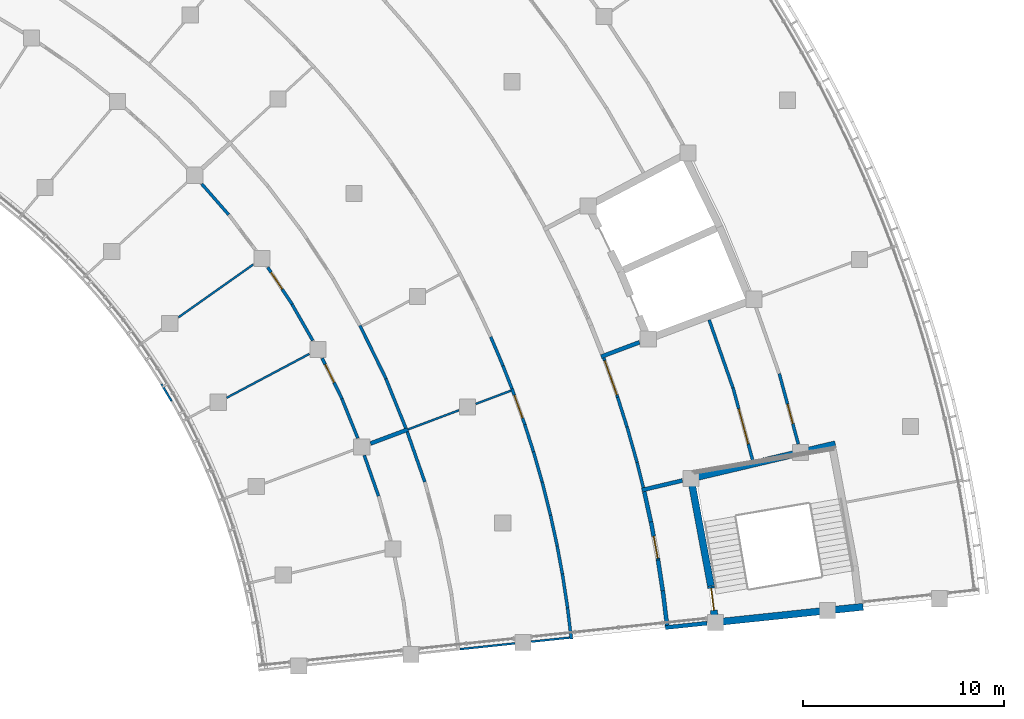
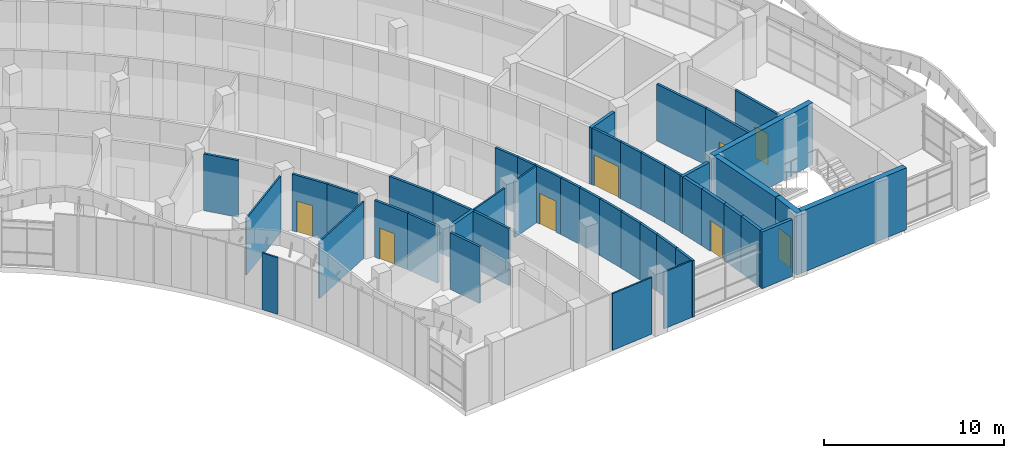
# One storey, part 48 of 109: 45 walls, 8 doors, 8 openings.
"""IFC4 building model written with IfcOpenShell, lengths in metres."""

from ifc_helpers import new_model, si_unit, direction, frame, frame_2d, origin, place, context, subcontext, project, spatial, rectangle, extrude, material, layer, layer_set, type_object, element, fill, save


model = new_model("IFC4")

# Units and contexts
model_context = context("Model", 3, precision=1e-05, world=origin(), true_north=direction((0.0, 1.0)))
body_context = subcontext(model_context, "Body", "Model", "MODEL_VIEW")
ifc_project = project(units=[si_unit("LENGTHUNIT", "METRE"), si_unit("AREAUNIT", "SQUARE_METRE"), si_unit("VOLUMEUNIT", "CUBIC_METRE"), si_unit("PLANEANGLEUNIT", "RADIAN"), si_unit("MASSUNIT", "GRAM", prefix="KILO")], contexts=[model_context])

# Site, building, storey
site_placement = place(None, origin())
site = spatial("IfcSite", under=ifc_project, at=site_placement, CompositionType="ELEMENT")
building_placement = place(site_placement, origin())
building = spatial("IfcBuilding", under=site, at=building_placement, Name="Bougainvillea Quay General Hospital", CompositionType="ELEMENT")
storey_placement = place(building_placement, frame((0.0, 0.0, 12.60009765625)))
storey = spatial("IfcBuildingStorey", under=building, at=storey_placement, Name="L02", CompositionType="ELEMENT", Elevation=12.60009765625)

# Walls
ifc_material_1 = material(Name="Gypsum board partition on steel studs", Category="steel")
ifc_layer_1 = layer(ifc_material_1, 0.10009765625)
ifc_layer_set_1 = layer_set([ifc_layer_1], Name="Gypsum board partition on steel studs")
wall_type_1 = type_object("IfcWallType", Name="Partition 100 Gypsum board partition", PredefinedType="PARTITIONING", material=ifc_layer_set_1)
wall_1_placement = place(storey_placement, frame((153.008544921875, 26.60791015625, 0.0), z_axis=(0.0, 0.0, 1.0), x_axis=(0.99452300046, 0.104517948486, 0.0)))
element("IfcWall", 1, at=wall_1_placement, inside=storey, type_object=wall_type_1, Name="Partition 100 mm", PredefinedType="PARTITIONING", context=body_context, shape_type="SweptSolid", body=[
    extrude(rectangle(XDim=2.742431640625, YDim=0.10009765625, at=frame_2d((1.37109375, 0.0))), origin(), (0.0, 0.0, 1.0), 3.849853515625),
])
wall_2_placement = place(storey_placement, frame((156.546142578125, 26.979736328125, 0.0), z_axis=(0.0, 0.0, 1.0), x_axis=(0.994518703868, 0.104558823905, 0.0)))
element("IfcWall", 2, at=wall_2_placement, inside=storey, type_object=wall_type_1, Name="Partition 100 mm", PredefinedType="PARTITIONING", context=body_context, shape_type="SweptSolid", body=[
    extrude(rectangle(XDim=1.9169921875, YDim=0.10009765625, at=frame_2d((0.95849609375, 0.0))), origin(), (0.0, 0.0, 1.0), 3.849853515625),
])
ifc_layer_2 = layer(ifc_material_1, 0.10009765625)
ifc_layer_set_2 = layer_set([ifc_layer_2], Name="Gypsum board partition on steel studs")
wall_type_2 = type_object("IfcWallType", Name="Partition 100 Gypsum board partition EI 30", PredefinedType="PARTITIONING", material=ifc_layer_set_2)
wall_3_placement = place(storey_placement, frame((141.427001953125, 39.092529296875, 0.0), z_axis=(0.0, 0.0, 1.0), x_axis=(0.88344099274, 0.46854243388, 0.0)))
element("IfcWall", 3, at=wall_3_placement, inside=storey, type_object=wall_type_2, Name="Partition 100 mm EI 30", PredefinedType="PARTITIONING", context=body_context, shape_type="SweptSolid", body=[
    extrude(rectangle(XDim=4.64208984375, YDim=0.10009765625, at=frame_2d((2.321044921875, 0.0))), origin(), (0.0, 0.0, 1.0), 3.849853515625),
])
wall_4_placement = place(storey_placement, frame((139.0263671875, 43.080810546875, 0.0), z_axis=(0.0, 0.0, 1.0), x_axis=(0.816637661001, 0.577150700108, 0.0)))
element("IfcWall", 4, at=wall_4_placement, inside=storey, type_object=wall_type_2, Name="Partition 100 mm EI 30", PredefinedType="PARTITIONING", context=body_context, shape_type="SweptSolid", body=[
    extrude(rectangle(XDim=4.55078125, YDim=0.10009765625, at=frame_2d((2.275390625, 0.0))), origin(), (0.0, 0.0, 1.0), 3.849853515625),
])
wall_5_placement = place(storey_placement, frame((150.42724609375, 37.518798828125, 0.0), z_axis=(0.0, 0.0, 1.0), x_axis=(0.935894141782, 0.352281358262, 0.0)))
element("IfcWall", 5, at=wall_5_placement, inside=storey, type_object=wall_type_2, Name="Partition 100 mm EI 30", PredefinedType="PARTITIONING", context=body_context, shape_type="SweptSolid", body=[
    extrude(rectangle(XDim=2.702880859375, YDim=0.10009765625, at=frame_2d((1.3515625, 0.0))), origin(), (0.0, 0.0, 1.0), 3.849853515625),
])
wall_6_placement = place(storey_placement, frame((153.791259765625, 38.78515625, 0.0), z_axis=(0.0, 0.0, 1.0), x_axis=(0.935884008534, 0.35230827775, 0.0)))
element("IfcWall", 6, at=wall_6_placement, inside=storey, type_object=wall_type_2, Name="Partition 100 mm EI 30", PredefinedType="PARTITIONING", context=body_context, shape_type="SweptSolid", body=[
    extrude(rectangle(XDim=1.873779296875, YDim=0.10009765625, at=frame_2d((0.93701171875, 0.0))), origin(), (0.0, 0.0, 1.0), 3.849853515625),
])
wall_7_placement = place(storey_placement, frame((138.184814453125, 39.771240234375, 0.0), z_axis=(0.0, 0.0, 1.0), x_axis=(0.51019570921, -0.860058334245, 0.0)))
element("IfcWall", 7, at=wall_7_placement, inside=storey, type_object=wall_type_2, Name="Partition 100 mm EI 30", PredefinedType="PARTITIONING", context=body_context, shape_type="SweptSolid", body=[
    extrude(rectangle(XDim=0.98681640625, YDim=0.10009765625, at=frame_2d((0.493408203125, 0.0))), origin(), (0.0, 0.0, 1.0), 3.849853515625),
])

# Wall, opening, door
ifc_material_2 = material(Name="Gypsum board partition on steel studs, insulated", Category="steel")
ifc_layer_3 = layer(ifc_material_2, 0.14990234375)
ifc_layer_set_3 = layer_set([ifc_layer_3], Name="Gypsum board partition on steel studs, insulated")
wall_type_3 = type_object("IfcWallType", Name="Partition 150 Gypsum board partition EI 30", PredefinedType="PARTITIONING", material=ifc_layer_set_3)
wall_8_placement = place(storey_placement, frame((168.8623046875, 40.287353515625, 0.0), z_axis=(0.0, 0.0, 1.0), x_axis=(0.261268938462, -0.965266047157, 0.0)))
wall_8 = element("IfcWall", 8, at=wall_8_placement, inside=storey, type_object=wall_type_3, Name="Partition 150 mm EI 30", PredefinedType="PARTITIONING", context=body_context, shape_type="SweptSolid", body=[
    extrude(rectangle(XDim=3.621826171875, YDim=0.14990234375, at=frame_2d((1.81103515625, 0.0))), origin(), (0.0, 0.0, 1.0), 3.849853515625),
])
opening_1_placement = place(wall_8_placement, frame((1.565673828125, 0.0, 0.0)))
opening_1 = element("IfcOpeningElement", 9, at=opening_1_placement, cuts=wall_8, Name="Opening L02.225", PredefinedType="OPENING", context=body_context, shape_type="SweptSolid", body=[
    extrude(rectangle(XDim=1.0, YDim=2.10009765625, at=frame_2d((0.5, 1.050048828125))), frame((0.0, 0.0849609375, 0.0), z_axis=(0.0, -1.0, 0.0), x_axis=(1.0, 0.0, 0.0)), (0.0, 0.0, 1.0), 0.169921875),
])
ifc_material_3 = material(Name="Solid-core timber door leaf in steel frame", Category="steel")
door_type_1 = type_object("IfcDoorType", Name="Single leaf door 1000x2100 FD30S", OperationType="NOTDEFINED", PredefinedType="DOOR", material=ifc_material_3)
door_1_placement = place(opening_1_placement, origin())
door_1 = element("IfcDoor", 10, at=door_1_placement, inside=storey, type_object=door_type_1, Name="DT15 L02.225", OperationType="SINGLE_SWING_RIGHT", OverallHeight=2.10009765625, OverallWidth=1.0, PredefinedType="DOOR", context=body_context, shape_type="SweptSolid", body=[
    extrude(rectangle(XDim=1.0, YDim=2.10009765625, at=frame_2d((0.5, 1.050048828125))), frame((0.0, 0.02490234375, 0.0), z_axis=(0.0, -1.0, 0.0), x_axis=(1.0, 0.0, 0.0)), (0.0, 0.0, 1.0), 0.050048828125),
])
fill(opening_1, door_1)

wall_9_placement = place(storey_placement, frame((166.5673828125, 39.58642578125, 0.0), z_axis=(0.0, 0.0, 1.0), x_axis=(0.261225938755, -0.965277684877, 0.0)))
wall_9 = element("IfcWall", 11, at=wall_9_placement, inside=storey, type_object=wall_type_3, Name="Partition 150 mm EI 30", PredefinedType="PARTITIONING", context=body_context, shape_type="SweptSolid", body=[
    extrude(rectangle(XDim=3.725341796875, YDim=0.14990234375, at=frame_2d((1.86279296875, 0.0))), origin(), (0.0, 0.0, 1.0), 3.849853515625),
])
opening_2_placement = place(wall_9_placement, frame((1.089111328125, 0.0, 0.0)))
opening_2 = element("IfcOpeningElement", 12, at=opening_2_placement, cuts=wall_9, Name="Opening L02.183", PredefinedType="OPENING", context=body_context, shape_type="SweptSolid", body=[
    extrude(rectangle(XDim=1.800048828125, YDim=2.10009765625, at=frame_2d((0.89990234375, 1.050048828125))), frame((0.0, 0.0849609375, 0.0), z_axis=(0.0, -1.0, 0.0), x_axis=(1.0, 0.0, 0.0)), (0.0, 0.0, 1.0), 0.169921875),
])
ifc_material_4 = material(Name="Solid-core timber door leaves in steel frame", Category="steel")
door_type_2 = type_object("IfcDoorType", Name="Double leaf door 1800x2100", OperationType="DOUBLE_DOOR_SINGLE_SWING", PredefinedType="DOOR", material=ifc_material_4)
door_2_placement = place(opening_2_placement, origin())
door_2 = element("IfcDoor", 13, at=door_2_placement, inside=storey, type_object=door_type_2, Name="DT08 L02.183", OperationType="DOUBLE_DOOR_SINGLE_SWING", OverallHeight=2.10009765625, OverallWidth=1.800048828125, PredefinedType="DOOR", context=body_context, shape_type="SweptSolid", body=[
    extrude(rectangle(XDim=1.800048828125, YDim=2.10009765625, at=frame_2d((0.89990234375, 1.050048828125))), frame((0.0, 0.02490234375, 0.0), z_axis=(0.0, -1.0, 0.0), x_axis=(1.0, 0.0, 0.0)), (0.0, 0.0, 1.0), 0.050048828125),
])
fill(opening_2, door_2)

# Walls
wall_10_placement = place(storey_placement, frame((165.38037109375, 42.959716796875, 0.0), z_axis=(0.0, 0.0, 1.0), x_axis=(0.330508329073, -0.943803075018, 0.0)))
element("IfcWall", 14, at=wall_10_placement, inside=storey, type_object=wall_type_3, Name="Partition 150 mm EI 30", PredefinedType="PARTITIONING", context=body_context, shape_type="SweptSolid", body=[
    extrude(rectangle(XDim=3.5810546875, YDim=0.14990234375, at=frame_2d((1.79052734375, 0.0))), origin(), (0.0, 0.0, 1.0), 3.849853515625),
])
wall_11_placement = place(storey_placement, frame((148.0380859375, 42.683349609375, 0.0), z_axis=(0.0, 0.0, 1.0), x_axis=(0.440200278942, -0.897899612663, 0.0)))
element("IfcWall", 15, at=wall_11_placement, inside=storey, type_object=wall_type_3, Name="Partition 150 mm EI 30", PredefinedType="PARTITIONING", context=body_context, shape_type="SweptSolid", body=[
    extrude(rectangle(XDim=2.957763671875, YDim=0.14990234375, at=frame_2d((1.47900390625, 0.0))), origin(), (0.0, 0.0, 1.0), 3.849853515625),
])
wall_12_placement = place(storey_placement, frame((149.3330078125, 40.0302734375, 0.0), z_axis=(0.0, 0.0, 1.0), x_axis=(0.373865497673, -0.927482932269, 0.0)))
element("IfcWall", 16, at=wall_12_placement, inside=storey, type_object=wall_type_3, Name="Partition 150 mm EI 30", PredefinedType="PARTITIONING", context=body_context, shape_type="SweptSolid", body=[
    extrude(rectangle(XDim=2.635009765625, YDim=0.14990234375, at=frame_2d((1.3173828125, 0.0))), origin(), (0.0, 0.0, 1.0), 3.849853515625),
])
wall_13_placement = place(storey_placement, frame((150.3896484375, 37.39599609375, 0.0), z_axis=(0.0, 0.0, 1.0), x_axis=(0.330759074405, -0.943715229663, 0.0)))
element("IfcWall", 17, at=wall_13_placement, inside=storey, type_object=wall_type_3, Name="Partition 150 mm EI 30", PredefinedType="PARTITIONING", context=body_context, shape_type="SweptSolid", body=[
    extrude(rectangle(XDim=2.63427734375, YDim=0.14990234375, at=frame_2d((1.317138671875, 0.0))), origin(), (0.0, 0.0, 1.0), 3.849853515625),
])

# Wall, opening, door
wall_14_placement = place(storey_placement, frame((146.162841796875, 41.059814453125, 0.0), z_axis=(0.0, 0.0, 1.0), x_axis=(0.439946079235, -0.898024190858, 0.0)))
wall_14 = element("IfcWall", 18, at=wall_14_placement, inside=storey, type_object=wall_type_3, Name="Partition 150 mm EI 30", PredefinedType="PARTITIONING", context=body_context, shape_type="SweptSolid", body=[
    extrude(rectangle(XDim=2.24853515625, YDim=0.14990234375, at=frame_2d((1.124267578125, 0.0))), origin(), (0.0, 0.0, 1.0), 3.849853515625),
])
opening_3_placement = place(wall_14_placement, frame((0.345947265625, 0.0, 0.0)))
opening_3 = element("IfcOpeningElement", 19, at=opening_3_placement, cuts=wall_14, Name="Opening L02.233", PredefinedType="OPENING", context=body_context, shape_type="SweptSolid", body=[
    extrude(rectangle(XDim=1.0, YDim=2.10009765625, at=frame_2d((0.5, 1.050048828125))), frame((0.0, 0.0849609375, 0.0), z_axis=(0.0, -1.0, 0.0), x_axis=(1.0, 0.0, 0.0)), (0.0, 0.0, 1.0), 0.169921875),
])
door_3_placement = place(opening_3_placement, frame((1.0, 0.0, 0.0), z_axis=(0.0, 0.0, 1.0), x_axis=(-1.0, 0.0, 0.0)))
door_3 = element("IfcDoor", 20, at=door_3_placement, inside=storey, type_object=door_type_1, Name="DT15 L02.233", OperationType="SINGLE_SWING_RIGHT", OverallHeight=2.10009765625, OverallWidth=1.0, PredefinedType="DOOR", context=body_context, shape_type="SweptSolid", body=[
    extrude(rectangle(XDim=1.0, YDim=2.10009765625, at=frame_2d((0.5, 1.050048828125))), frame((0.0, 0.02490234375, 0.0), z_axis=(0.0, -1.0, 0.0), x_axis=(1.0, 0.0, 0.0)), (0.0, 0.0, 1.0), 0.050048828125),
])
fill(opening_3, door_3)

wall_15_placement = place(storey_placement, frame((143.461669921875, 45.569580078125, 0.0), z_axis=(0.0, 0.0, 1.0), x_axis=(0.550880835548, -0.834583911315, 0.0)))
wall_15 = element("IfcWall", 21, at=wall_15_placement, inside=storey, type_object=wall_type_3, Name="Partition 150 mm EI 30", PredefinedType="PARTITIONING", context=body_context, shape_type="SweptSolid", body=[
    extrude(rectangle(XDim=2.201171875, YDim=0.14990234375, at=frame_2d((1.1005859375, 0.0))), origin(), (0.0, 0.0, 1.0), 3.849853515625),
])
opening_4_placement = place(wall_15_placement, frame((0.29931640625, 0.0, 0.0)))
opening_4 = element("IfcOpeningElement", 22, at=opening_4_placement, cuts=wall_15, Name="Opening L02.232", PredefinedType="OPENING", context=body_context, shape_type="SweptSolid", body=[
    extrude(rectangle(XDim=1.0, YDim=2.10009765625, at=frame_2d((0.5, 1.050048828125))), frame((0.0, 0.0849609375, 0.0), z_axis=(0.0, -1.0, 0.0), x_axis=(1.0, 0.0, 0.0)), (0.0, 0.0, 1.0), 0.169921875),
])
door_4_placement = place(opening_4_placement, frame((1.0, 0.0, 0.0), z_axis=(0.0, 0.0, 1.0), x_axis=(-1.0, 0.0, 0.0)))
door_4 = element("IfcDoor", 23, at=door_4_placement, inside=storey, type_object=door_type_1, Name="DT15 L02.232", OperationType="SINGLE_SWING_RIGHT", OverallHeight=2.10009765625, OverallWidth=1.0, PredefinedType="DOOR", context=body_context, shape_type="SweptSolid", body=[
    extrude(rectangle(XDim=1.0, YDim=2.10009765625, at=frame_2d((0.5, 1.050048828125))), frame((0.0, 0.02490234375, 0.0), z_axis=(0.0, -1.0, 0.0), x_axis=(1.0, 0.0, 0.0)), (0.0, 0.0, 1.0), 0.050048828125),
])
fill(opening_4, door_4)

# Walls
wall_16_placement = place(storey_placement, frame((144.66796875, 43.73388671875, 0.0), z_axis=(0.0, 0.0, 1.0), x_axis=(0.496694973164, -0.867925171679, 0.0)))
element("IfcWall", 24, at=wall_16_placement, inside=storey, type_object=wall_type_3, Name="Partition 150 mm EI 30", PredefinedType="PARTITIONING", context=body_context, shape_type="SweptSolid", body=[
    extrude(rectangle(XDim=2.080078125, YDim=0.14990234375, at=frame_2d((1.0400390625, 0.0))), origin(), (0.0, 0.0, 1.0), 3.849853515625),
])
wall_17_placement = place(storey_placement, frame((147.14501953125, 39.043212890625, 0.0), z_axis=(0.0, 0.0, 1.0), x_axis=(0.373899406404, -0.927469263043, 0.0)))
element("IfcWall", 25, at=wall_17_placement, inside=storey, type_object=wall_type_3, Name="Partition 150 mm EI 30", PredefinedType="PARTITIONING", context=body_context, shape_type="SweptSolid", body=[
    extrude(rectangle(XDim=2.113037109375, YDim=0.14990234375, at=frame_2d((1.056640625, 0.0))), origin(), (0.0, 0.0, 1.0), 3.849853515625),
])
wall_18_placement = place(storey_placement, frame((148.256591796875, 36.231689453125, 0.0), z_axis=(0.0, 0.0, 1.0), x_axis=(0.330477279651, -0.943813947574, 0.0)))
element("IfcWall", 26, at=wall_18_placement, inside=storey, type_object=wall_type_3, Name="Partition 150 mm EI 30", PredefinedType="PARTITIONING", context=body_context, shape_type="SweptSolid", body=[
    extrude(rectangle(XDim=2.14306640625, YDim=0.14990234375, at=frame_2d((1.071533203125, 0.0))), origin(), (0.0, 0.0, 1.0), 3.849853515625),
])
wall_19_placement = place(storey_placement, frame((140.18359375, 49.71044921875, 0.0), z_axis=(0.0, 0.0, 1.0), x_axis=(0.659209376091, -0.751959439381, 0.0)))
element("IfcWall", 27, at=wall_19_placement, inside=storey, type_object=wall_type_3, Name="Partition 150 mm EI 30", PredefinedType="PARTITIONING", context=body_context, shape_type="SweptSolid", body=[
    extrude(rectangle(XDim=2.03466796875, YDim=0.14990234375, at=frame_2d((1.017333984375, 0.0))), origin(), (0.0, 0.0, 1.0), 3.849853515625),
])

# Wall, opening, door
wall_20_placement = place(storey_placement, frame((160.146240234375, 41.068115234375, 0.0), z_axis=(0.0, 0.0, 1.0), x_axis=(0.334170983673, -0.942512468708, 0.0)))
wall_20 = element("IfcWall", 28, at=wall_20_placement, inside=storey, type_object=wall_type_3, Name="Partition 150 mm EI 30", PredefinedType="PARTITIONING", context=body_context, shape_type="SweptSolid", body=[
    extrude(rectangle(XDim=2.079345703125, YDim=0.14990234375, at=frame_2d((1.03955078125, 0.0))), origin(), (0.0, 0.0, 1.0), 3.849853515625),
])
opening_5_placement = place(wall_20_placement, frame((0.15087890625, 0.0, 0.0)))
opening_5 = element("IfcOpeningElement", 29, at=opening_5_placement, cuts=wall_20, Name="Opening L02.197", PredefinedType="OPENING", context=body_context, shape_type="SweptSolid", body=[
    extrude(rectangle(XDim=1.800048828125, YDim=2.10009765625, at=frame_2d((0.89990234375, 1.050048828125))), frame((0.0, 0.0849609375, 0.0), z_axis=(0.0, -1.0, 0.0), x_axis=(1.0, 0.0, 0.0)), (0.0, 0.0, 1.0), 0.169921875),
])
door_5_placement = place(opening_5_placement, frame((1.800048828125, 0.0, 0.0), z_axis=(0.0, 0.0, 1.0), x_axis=(-1.0, 0.0, 0.0)))
door_5 = element("IfcDoor", 30, at=door_5_placement, inside=storey, type_object=door_type_2, Name="DT08 L02.197", OperationType="DOUBLE_DOOR_SINGLE_SWING", OverallHeight=2.10009765625, OverallWidth=1.800048828125, PredefinedType="DOOR", context=body_context, shape_type="SweptSolid", body=[
    extrude(rectangle(XDim=1.800048828125, YDim=2.10009765625, at=frame_2d((0.89990234375, 1.050048828125))), frame((0.0, 0.02490234375, 0.0), z_axis=(0.0, -1.0, 0.0), x_axis=(1.0, 0.0, 0.0)), (0.0, 0.0, 1.0), 0.050048828125),
])
fill(opening_5, door_5)

wall_21_placement = place(storey_placement, frame((155.5908203125, 39.54248046875, 0.0), z_axis=(0.0, 0.0, 1.0), x_axis=(0.336874131091, -0.941549690564, 0.0)))
wall_21 = element("IfcWall", 31, at=wall_21_placement, inside=storey, type_object=wall_type_3, Name="Partition 150 mm EI 30", PredefinedType="PARTITIONING", context=body_context, shape_type="SweptSolid", body=[
    extrude(rectangle(XDim=1.89794921875, YDim=0.14990234375, at=frame_2d((0.948974609375, 0.0))), origin(), (0.0, 0.0, 1.0), 3.849853515625),
])
opening_6_placement = place(wall_21_placement, frame((0.34912109375, 0.0, 0.0)))
opening_6 = element("IfcOpeningElement", 32, at=opening_6_placement, cuts=wall_21, Name="Opening L02.200", PredefinedType="OPENING", context=body_context, shape_type="SweptSolid", body=[
    extrude(rectangle(XDim=1.199951171875, YDim=2.10009765625, at=frame_2d((0.60009765625, 1.050048828125))), frame((0.0, 0.0849609375, 0.0), z_axis=(0.0, -1.0, 0.0), x_axis=(1.0, 0.0, 0.0)), (0.0, 0.0, 1.0), 0.169921875),
])
door_type_3 = type_object("IfcDoorType", Name="Single leaf door 1200x2100", OperationType="NOTDEFINED", PredefinedType="DOOR", material=ifc_material_3)
door_6_placement = place(opening_6_placement, origin())
door_6 = element("IfcDoor", 33, at=door_6_placement, inside=storey, type_object=door_type_3, Name="DT13 L02.200", OperationType="SINGLE_SWING_RIGHT", OverallHeight=2.10009765625, OverallWidth=1.199951171875, PredefinedType="DOOR", context=body_context, shape_type="SweptSolid", body=[
    extrude(rectangle(XDim=1.199951171875, YDim=2.10009765625, at=frame_2d((0.60009765625, 1.050048828125))), frame((0.0, 0.02490234375, 0.0), z_axis=(0.0, -1.0, 0.0), x_axis=(1.0, 0.0, 0.0)), (0.0, 0.0, 1.0), 0.050048828125),
])
fill(opening_6, door_6)

# Walls
wall_22_placement = place(storey_placement, frame((161.302490234375, 37.647216796875, 0.0), z_axis=(0.0, 0.0, 1.0), x_axis=(0.271536076628, -0.962428261789, 0.0)))
element("IfcWall", 34, at=wall_22_placement, inside=storey, type_object=wall_type_3, Name="Partition 150 mm EI 30", PredefinedType="PARTITIONING", context=body_context, shape_type="SweptSolid", body=[
    extrude(rectangle(XDim=1.833251953125, YDim=0.14990234375, at=frame_2d((0.91650390625, 0.0))), origin(), (0.0, 0.0, 1.0), 3.849853515625),
])
wall_23_placement = place(storey_placement, frame((160.837890625, 39.10986328125, 0.0), z_axis=(0.0, 0.0, 1.0), x_axis=(0.301321411033, -0.953522630698, 0.0)))
element("IfcWall", 35, at=wall_23_placement, inside=storey, type_object=wall_type_3, Name="Partition 150 mm EI 30", PredefinedType="PARTITIONING", context=body_context, shape_type="SweptSolid", body=[
    extrude(rectangle(XDim=1.537109375, YDim=0.14990234375, at=frame_2d((0.7685546875, 0.0))), origin(), (0.0, 0.0, 1.0), 3.849853515625),
])
wall_24_placement = place(storey_placement, frame((154.533447265625, 42.114990234375, 0.0), z_axis=(0.0, 0.0, 1.0), x_axis=(0.39261681237, -0.9197021467, 0.0)))
element("IfcWall", 36, at=wall_24_placement, inside=storey, type_object=wall_type_3, Name="Partition 150 mm EI 30", PredefinedType="PARTITIONING", context=body_context, shape_type="SweptSolid", body=[
    extrude(rectangle(XDim=1.5615234375, YDim=0.14990234375, at=frame_2d((0.78076171875, 0.0))), origin(), (0.0, 0.0, 1.0), 3.849853515625),
])
wall_25_placement = place(storey_placement, frame((157.088623046875, 34.914794921875, 0.0), z_axis=(0.0, 0.0, 1.0), x_axis=(0.243846269547, -0.969813898038, 0.0)))
element("IfcWall", 37, at=wall_25_placement, inside=storey, type_object=wall_type_3, Name="Partition 150 mm EI 30", PredefinedType="PARTITIONING", context=body_context, shape_type="SweptSolid", body=[
    extrude(rectangle(XDim=1.708984375, YDim=0.14990234375, at=frame_2d((0.8544921875, 0.0))), origin(), (0.0, 0.0, 1.0), 3.849853515625),
])
wall_26_placement = place(storey_placement, frame((157.50244140625, 33.2587890625, 0.0), z_axis=(0.0, 0.0, 1.0), x_axis=(0.213617594112, -0.976917357552, 0.0)))
element("IfcWall", 38, at=wall_26_placement, inside=storey, type_object=wall_type_3, Name="Partition 150 mm EI 30", PredefinedType="PARTITIONING", context=body_context, shape_type="SweptSolid", body=[
    extrude(rectangle(XDim=1.561279296875, YDim=0.14990234375, at=frame_2d((0.78076171875, 0.0))), origin(), (0.0, 0.0, 1.0), 3.849853515625),
])
wall_27_placement = place(storey_placement, frame((158.092529296875, 30.34912109375, 0.0), z_axis=(0.0, 0.0, 1.0), x_axis=(0.15143450376, -0.98846729388, 0.0)))
element("IfcWall", 39, at=wall_27_placement, inside=storey, type_object=wall_type_3, Name="Partition 150 mm EI 30", PredefinedType="PARTITIONING", context=body_context, shape_type="SweptSolid", body=[
    extrude(rectangle(XDim=1.708984375, YDim=0.14990234375, at=frame_2d((0.8544921875, 0.0))), origin(), (0.0, 0.0, 1.0), 3.849853515625),
])
wall_28_placement = place(storey_placement, frame((156.658447265625, 36.4130859375, 0.0), z_axis=(0.0, 0.0, 1.0), x_axis=(0.27445261009, -0.961600626463, 0.0)))
element("IfcWall", 40, at=wall_28_placement, inside=storey, type_object=wall_type_3, Name="Partition 150 mm EI 30", PredefinedType="PARTITIONING", context=body_context, shape_type="SweptSolid", body=[
    extrude(rectangle(XDim=1.561279296875, YDim=0.14990234375, at=frame_2d((0.78076171875, 0.0))), origin(), (0.0, 0.0, 1.0), 3.849853515625),
])
wall_29_placement = place(storey_placement, frame((156.22705078125, 37.7568359375, 0.0), z_axis=(0.0, 0.0, 1.0), x_axis=(0.304180257637, -0.95261449226, 0.0)))
element("IfcWall", 41, at=wall_29_placement, inside=storey, type_object=wall_type_3, Name="Partition 150 mm EI 30", PredefinedType="PARTITIONING", context=body_context, shape_type="SweptSolid", body=[
    extrude(rectangle(XDim=1.413330078125, YDim=0.14990234375, at=frame_2d((0.70654296875, 0.0))), origin(), (0.0, 0.0, 1.0), 3.849853515625),
])
wall_30_placement = place(storey_placement, frame((157.833251953125, 31.735595703125, 0.0), z_axis=(0.0, 0.0, 1.0), x_axis=(0.182305830885, -0.98324187463, 0.0)))
element("IfcWall", 42, at=wall_30_placement, inside=storey, type_object=wall_type_3, Name="Partition 150 mm EI 30", PredefinedType="PARTITIONING", context=body_context, shape_type="SweptSolid", body=[
    extrude(rectangle(XDim=1.412841796875, YDim=0.14990234375, at=frame_2d((0.70654296875, 0.0))), origin(), (0.0, 0.0, 1.0), 3.849853515625),
])
wall_31_placement = place(storey_placement, frame((158.348876953125, 28.661865234375, 0.0), z_axis=(0.0, 0.0, 1.0), x_axis=(0.120681951102, -0.992691224238, 0.0)))
element("IfcWall", 43, at=wall_31_placement, inside=storey, type_object=wall_type_3, Name="Partition 150 mm EI 30", PredefinedType="PARTITIONING", context=body_context, shape_type="SweptSolid", body=[
    extrude(rectangle(XDim=1.559814453125, YDim=0.14990234375, at=frame_2d((0.77978515625, 0.0))), origin(), (0.0, 0.0, 1.0), 3.849853515625),
])
wall_32_placement = place(storey_placement, frame((161.797607421875, 35.88427734375, 0.0), z_axis=(0.0, 0.0, 1.0), x_axis=(0.243023571224, -0.970020383203, 0.0)))
element("IfcWall", 44, at=wall_32_placement, inside=storey, type_object=wall_type_3, Name="Partition 150 mm EI 30", PredefinedType="PARTITIONING", context=body_context, shape_type="SweptSolid", body=[
    extrude(rectangle(XDim=1.294921875, YDim=0.14990234375, at=frame_2d((0.6474609375, 0.0))), origin(), (0.0, 0.0, 1.0), 3.849853515625),
])
wall_33_placement = place(storey_placement, frame((155.1435546875, 40.68017578125, 0.0), z_axis=(0.0, 0.0, 1.0), x_axis=(0.364264029016, -0.931295719503, 0.0)))
element("IfcWall", 45, at=wall_33_placement, inside=storey, type_object=wall_type_3, Name="Partition 150 mm EI 30", PredefinedType="PARTITIONING", context=body_context, shape_type="SweptSolid", body=[
    extrude(rectangle(XDim=1.224609375, YDim=0.14990234375, at=frame_2d((0.6123046875, 0.0))), origin(), (0.0, 0.0, 1.0), 3.849853515625),
])
ifc_material_5 = material(Name="Fire-rated autoclaved aerated block wall, plastered")
ifc_layer_4 = layer(ifc_material_5, 0.199951171875)
ifc_layer_set_4 = layer_set([ifc_layer_4], Name="Fire-rated autoclaved aerated block wall, plastered")
wall_type_4 = type_object("IfcWallType", Name="Partition 200 Fire-rated autoclaved aerated block wall EI 120", PredefinedType="SOLIDWALL", material=ifc_layer_set_4)
wall_34_placement = place(storey_placement, frame((162.039794921875, 34.506103515625, 0.0), z_axis=(0.0, 0.0, 1.0), x_axis=(0.973117236519, 0.230310321066, 0.0)))
element("IfcWall", 46, at=wall_34_placement, inside=storey, type_object=wall_type_4, Name="Partition 200 mm EI 120", PredefinedType="SOLIDWALL", context=body_context, shape_type="SweptSolid", body=[
    extrude(rectangle(XDim=2.06591796875, YDim=0.199951171875, at=frame_2d((1.032958984375, 0.0))), origin(), (0.0, 0.0, 1.0), 3.849853515625),
])
wall_35_placement = place(storey_placement, frame((160.018310546875, 41.1298828125, 0.0), z_axis=(0.0, 0.0, 1.0), x_axis=(0.935835444075, 0.352437259115, 0.0)))
element("IfcWall", 47, at=wall_35_placement, inside=storey, type_object=wall_type_4, Name="Partition 200 mm EI 120", PredefinedType="SOLIDWALL", context=body_context, shape_type="SweptSolid", body=[
    extrude(rectangle(XDim=2.035888671875, YDim=0.199951171875, at=frame_2d((1.01806640625, 0.0))), origin(), (0.0, 0.0, 1.0), 3.849853515625),
])
wall_36_placement = place(storey_placement, frame((163.202392578125, 27.679443359375, 0.0), z_axis=(0.0, 0.0, 1.0), x_axis=(0.994514424739, 0.104599517143, 0.0)))
element("IfcWall", 48, at=wall_36_placement, inside=storey, type_object=wall_type_4, Name="Partition 200 mm EI 120", PredefinedType="SOLIDWALL", context=body_context, shape_type="SweptSolid", body=[
    extrude(rectangle(XDim=2.086669921875, YDim=0.199951171875, at=frame_2d((1.04345703125, 0.0))), origin(), (0.0, 0.0, 1.0), 3.849853515625),
])
wall_37_placement = place(storey_placement, frame((148.5673828125, 36.81884765625, 0.0), z_axis=(0.0, 0.0, 1.0), x_axis=(0.935934561344, 0.352173958268, 0.0)))
element("IfcWall", 49, at=wall_37_placement, inside=storey, type_object=wall_type_4, Name="Partition 200 mm EI 120", PredefinedType="SOLIDWALL", context=body_context, shape_type="SweptSolid", body=[
    extrude(rectangle(XDim=1.986083984375, YDim=0.199951171875, at=frame_2d((0.9931640625, 0.0))), origin(), (0.0, 0.0, 1.0), 3.849853515625),
])
wall_38_placement = place(storey_placement, frame((163.0810546875, 29.51220703125, 0.0), z_axis=(0.0, 0.0, 1.0), x_axis=(0.120377618692, -0.992728174738, 0.0)))
element("IfcWall", 50, at=wall_38_placement, inside=storey, type_object=wall_type_4, Name="Partition 200 mm EI 120", PredefinedType="SOLIDWALL", context=body_context, shape_type="SweptSolid", body=[
    extrude(rectangle(XDim=1.734130859375, YDim=0.199951171875, at=frame_2d((0.8671875, 0.0))), origin(), (0.0, 0.0, 1.0), 3.849853515625),
])

# Wall, opening, door
wall_39_placement = place(storey_placement, frame((162.49169921875, 32.932373046875, 0.0), z_axis=(0.0, 0.0, 1.0), x_axis=(0.183778259652, -0.982967726469, 0.0)))
wall_39 = element("IfcWall", 51, at=wall_39_placement, inside=storey, type_object=wall_type_4, Name="Partition 200 mm EI 120", PredefinedType="SOLIDWALL", context=body_context, shape_type="SweptSolid", body=[
    extrude(rectangle(XDim=1.935546875, YDim=0.199951171875, at=frame_2d((0.9677734375, 0.0))), origin(), (0.0, 0.0, 1.0), 3.849853515625),
])
opening_7_placement = place(wall_39_placement, frame((0.735595703125, 0.0, 0.0)))
opening_7 = element("IfcOpeningElement", 52, at=opening_7_placement, cuts=wall_39, Name="Opening L02.272", PredefinedType="OPENING", context=body_context, shape_type="SweptSolid", body=[
    extrude(rectangle(XDim=1.10009765625, YDim=2.10009765625, at=frame_2d((0.550048828125, 1.050048828125))), frame((0.0, 0.10986328125, 0.0), z_axis=(0.0, -1.0, 0.0), x_axis=(1.0, 0.0, 0.0)), (0.0, 0.0, 1.0), 0.219970703125),
])
ifc_material_6 = material(Name="Steel fire door leaf in steel frame", Category="steel")
door_type_4 = type_object("IfcDoorType", Name="Steel single leaf door 1100x2100 FD60", OperationType="NOTDEFINED", PredefinedType="DOOR", material=ifc_material_6)
door_7_placement = place(opening_7_placement, origin())
door_7 = element("IfcDoor", 53, at=door_7_placement, inside=storey, type_object=door_type_4, Name="DT04 L02.272", OperationType="SINGLE_SWING_RIGHT", OverallHeight=2.10009765625, OverallWidth=1.10009765625, PredefinedType="DOOR", context=body_context, shape_type="SweptSolid", body=[
    extrude(rectangle(XDim=1.10009765625, YDim=2.10009765625, at=frame_2d((0.550048828125, 1.050048828125))), frame((0.0, 0.02490234375, 0.0), z_axis=(0.0, -1.0, 0.0), x_axis=(1.0, 0.0, 0.0)), (0.0, 0.0, 1.0), 0.050048828125),
])
fill(opening_7, door_7)

# Walls
wall_40_placement = place(storey_placement, frame((162.15869140625, 34.4296875, 0.0), z_axis=(0.0, 0.0, 1.0), x_axis=(0.215079958229, -0.976596442533, 0.0)))
element("IfcWall", 54, at=wall_40_placement, inside=storey, type_object=wall_type_4, Name="Partition 200 mm EI 120", PredefinedType="SOLIDWALL", context=body_context, shape_type="SweptSolid", body=[
    extrude(rectangle(XDim=1.536865234375, YDim=0.199951171875, at=frame_2d((0.7685546875, 0.0))), origin(), (0.0, 0.0, 1.0), 3.849853515625),
])
wall_41_placement = place(storey_placement, frame((162.84375, 31.0322265625, 0.0), z_axis=(0.0, 0.0, 1.0), x_axis=(0.152211909299, -0.9883478814, 0.0)))
element("IfcWall", 55, at=wall_41_placement, inside=storey, type_object=wall_type_4, Name="Partition 200 mm EI 120", PredefinedType="SOLIDWALL", context=body_context, shape_type="SweptSolid", body=[
    extrude(rectangle(XDim=1.54150390625, YDim=0.199951171875, at=frame_2d((0.770751953125, 0.0))), origin(), (0.0, 0.0, 1.0), 3.849853515625),
])
ifc_material_7 = material(Name="Concrete C40", Category="concrete")
ifc_layer_5 = layer(ifc_material_7, 0.35009765625)
ifc_layer_set_5 = layer_set([ifc_layer_5], Name="Concrete C40")
wall_type_5 = type_object("IfcWallType", Name="RC SHEAR WALL 350 C40", PredefinedType="SHEAR", material=ifc_layer_set_5)
wall_42_placement = place(storey_placement, frame((164.302734375, 35.041748046875, 0.0), z_axis=(0.0, 0.0, 1.0), x_axis=(0.973093454504, 0.230410782737, 0.0)))
element("IfcWall", 56, at=wall_42_placement, inside=storey, type_object=wall_type_5, Name="Shear wall L02", PredefinedType="SHEAR", context=body_context, shape_type="SweptSolid", body=[
    extrude(rectangle(XDim=7.549560546875, YDim=0.35009765625, at=frame_2d((3.77490234375, 0.0))), origin(), (0.0, 0.0, 1.0), 4.199951171875),
])

# Wall, opening, door
wall_43_placement = place(storey_placement, frame((165.470703125, 29.734375, 0.0), z_axis=(0.0, 0.0, 1.0), x_axis=(0.12025777275, -0.992742699844, 0.0)))
wall_43 = element("IfcWall", 57, at=wall_43_placement, inside=storey, type_object=wall_type_5, Name="Shear wall L02", PredefinedType="SHEAR", context=body_context, shape_type="SweptSolid", body=[
    extrude(rectangle(XDim=1.9814453125, YDim=0.35009765625, at=frame_2d((0.99072265625, 0.0))), origin(), (0.0, 0.0, 1.0), 4.199951171875),
])
opening_8_placement = place(wall_43_placement, frame((0.10009765625, 0.0, 0.0)))
opening_8 = element("IfcOpeningElement", 58, at=opening_8_placement, cuts=wall_43, Name="Opening L02.271", PredefinedType="OPENING", context=body_context, shape_type="SweptSolid", body=[
    extrude(rectangle(XDim=1.10009765625, YDim=2.10009765625, at=frame_2d((0.550048828125, 1.050048828125))), frame((0.0, 0.18505859375, 0.0), z_axis=(0.0, -1.0, 0.0), x_axis=(1.0, 0.0, 0.0)), (0.0, 0.0, 1.0), 0.3701171875),
])
door_8_placement = place(opening_8_placement, origin())
door_8 = element("IfcDoor", 59, at=door_8_placement, inside=storey, type_object=door_type_4, Name="DT04 L02.271", OperationType="SINGLE_SWING_LEFT", OverallHeight=2.10009765625, OverallWidth=1.10009765625, PredefinedType="DOOR", context=body_context, shape_type="SweptSolid", body=[
    extrude(rectangle(XDim=1.10009765625, YDim=2.10009765625, at=frame_2d((0.550048828125, 1.050048828125))), frame((0.0, 0.02490234375, 0.0), z_axis=(0.0, -1.0, 0.0), x_axis=(1.0, 0.0, 0.0)), (0.0, 0.0, 1.0), 0.050048828125),
])
fill(opening_8, door_8)

# Walls
wall_44_placement = place(storey_placement, frame((165.468994140625, 29.74560546875, 0.0), z_axis=(0.0, 0.0, 1.0), x_axis=(-0.183471964923, 0.98302494276, 0.0)))
element("IfcWall", 60, at=wall_44_placement, inside=storey, type_object=wall_type_5, Name="Shear wall L02", PredefinedType="SHEAR", context=body_context, shape_type="SweptSolid", body=[
    extrude(rectangle(XDim=5.25341796875, YDim=0.35009765625, at=frame_2d((2.626708984375, 0.0))), origin(), (0.0, 0.0, 1.0), 4.199951171875),
])
wall_45_placement = place(storey_placement, frame((165.862060546875, 27.959228515625, 0.0), z_axis=(0.0, 0.0, 1.0), x_axis=(0.99451418157, 0.104601829128, 0.0)))
element("IfcWall", 61, at=wall_45_placement, inside=storey, type_object=wall_type_5, Name="Shear wall L02", PredefinedType="SHEAR", context=body_context, shape_type="SweptSolid", body=[
    extrude(rectangle(XDim=7.200439453125, YDim=0.35009765625, at=frame_2d((3.60009765625, 0.0))), origin(), (0.0, 0.0, 1.0), 4.199951171875),
])

save(model, "model.ifc")
